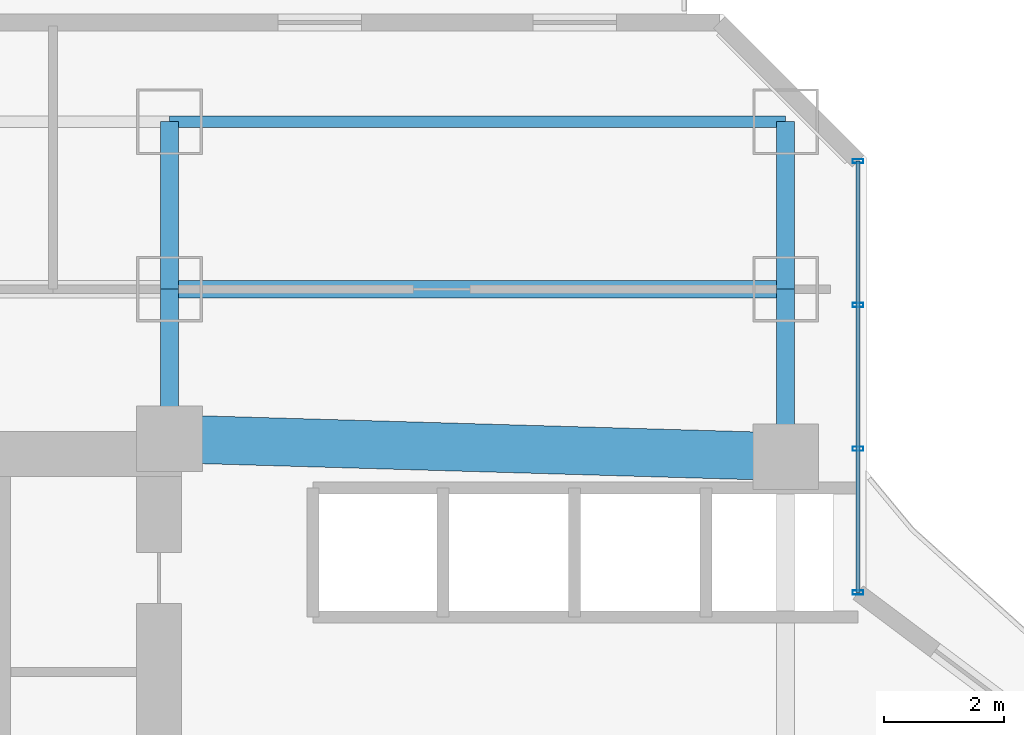
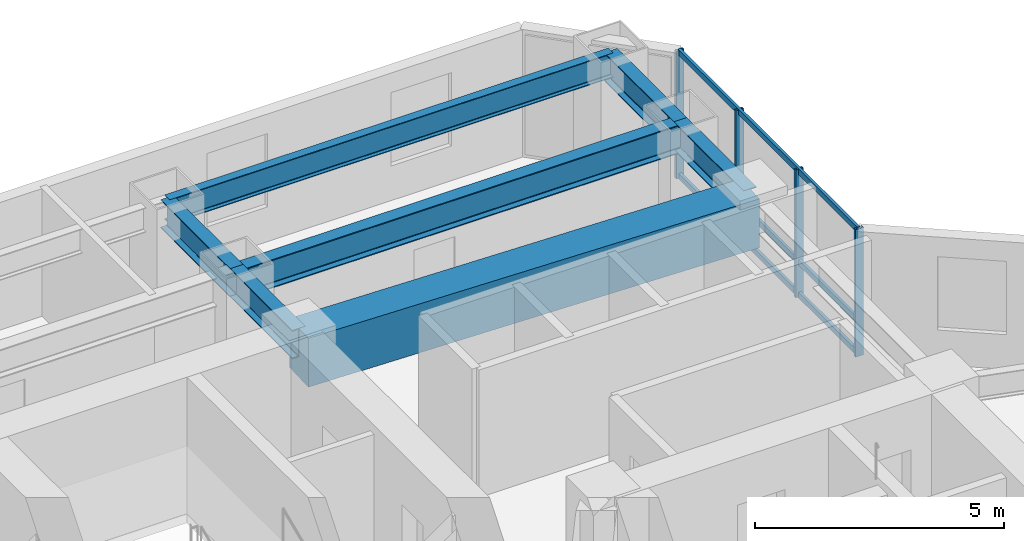
# One storey, part 18 of 32: 7 beams, 7 members, 1 element without a shape of its own.
"""IFC4 building model written with IfcOpenShell, lengths in metres."""

from ifc_helpers import new_model, si_unit, direction, frame, origin, origin_2d, place, context, subcontext, project, spatial, rectangle, hollow_rectangle, i_section, extrude, material, layer, layer_set, material_profile, profile_set, type_object, element, aggregate, save


model = new_model("IFC4")

# Units and contexts
model_context = context("Model", 3, precision=1e-05, world=origin(), true_north=direction((0.0, 1.0)))
body_context = subcontext(model_context, "Body", "Model", "MODEL_VIEW")
ifc_project = project(units=[si_unit("LENGTHUNIT", "METRE"), si_unit("AREAUNIT", "SQUARE_METRE"), si_unit("VOLUMEUNIT", "CUBIC_METRE"), si_unit("PLANEANGLEUNIT", "RADIAN"), si_unit("MASSUNIT", "GRAM", prefix="KILO")], contexts=[model_context])

# Site, building, storey
site_placement = place(None, origin())
site = spatial("IfcSite", under=ifc_project, at=site_placement, CompositionType="ELEMENT")
building_placement = place(site_placement, origin())
building = spatial("IfcBuilding", under=site, at=building_placement, Name="Hatsunagi Terrace Concourse", CompositionType="ELEMENT")
storey_placement = place(building_placement, frame((0.0, 0.0, 36.60009765625)))
storey = spatial("IfcBuildingStorey", under=building, at=storey_placement, Name="L08", CompositionType="ELEMENT", Elevation=36.60009765625)

# Beam
ifc_material_1 = material(Name="Concrete Fc60", Category="concrete")
ifc_material_profile_1 = material_profile(ifc_material_1, rectangle(XDim=0.800048828125, YDim=1.199951171875, at=origin_2d()), Name="RC-800x1200")
ifc_profile_set_1 = profile_set([ifc_material_profile_1], Name="Concrete Fc60")
beam_type_1 = type_object("IfcBeamType", Name="CoreCouplingBeam_RC_800x1200", PredefinedType="BEAM", material=ifc_profile_set_1)
beam_1_placement = place(storey_placement, frame((33.35009765625, 43.300048828125, 2.52978515625), z_axis=(0.999575947545, -0.029119153303, 0.0), x_axis=(0.029119153303, 0.999575947545, 0.0)))
element("IfcBeam", 1, at=beam_1_placement, inside=storey, type_object=beam_type_1, Name="Beam CB-01 CB-L08-2", PredefinedType="BEAM", context=body_context, shape_type="SweptSolid", body=[
    extrude(rectangle(XDim=0.800048828125, YDim=1.199951171875, at=origin_2d()), origin(), (0.0, 0.0, 1.0), 10.30419921875),
])

# Curtain wall, members
ifc_material_2 = material(Name="Anodised Aluminium Alloy 6063-T5", Category="aluminium")
ifc_layer = layer(ifc_material_2, 0.199951171875)
ifc_layer_set = layer_set([ifc_layer], Name="HotelFacade_CW02")
curtain_wall_type = type_object("IfcCurtainWallType", Name="HotelFacade_CW02", PredefinedType="NOTDEFINED", material=ifc_layer_set)
curtain_wall_placement = place(storey_placement, origin())
curtain_wall = element("IfcCurtainWall", 2, at=curtain_wall_placement, inside=storey, type_object=curtain_wall_type, Name="Unitised Curtain Wall CW-02 CW-L08-13", PredefinedType="NOTDEFINED")
ifc_material_3 = material(Name="Anodised Aluminium Alloy 6063-T5", Category="aluminium")
ifc_material_profile_2 = material_profile(ifc_material_3, hollow_rectangle(XDim=0.070068359375, YDim=0.179931640625, WallThickness=0.00390625, at=origin_2d()), Name="ALU-MUL-180x70x4")
ifc_profile_set_2 = profile_set([ifc_material_profile_2], Name="Anodised Aluminium Alloy 6063-T5")
member_type_1 = type_object("IfcMemberType", Name="CurtainWallMullion_180x70", PredefinedType="MULLION", material=ifc_profile_set_2)
member_1_placement = place(storey_placement, frame((44.860107421875, 47.94189453125, 0.0), z_axis=(0.0, 0.0, 1.0), x_axis=(0.0, -1.0, 0.0)))
member_1 = element("IfcMember", 3, at=member_1_placement, type_object=member_type_1, Name="Curtain Wall Mullion MUL-02", PredefinedType="MULLION", context=body_context, shape_type="SweptSolid", body=[
    extrude(hollow_rectangle(XDim=0.070068359375, YDim=0.179931640625, WallThickness=0.00390625, at=origin_2d()), origin(), (0.0, 0.0, 1.0), 3.1298828125),
])
member_2_placement = place(storey_placement, frame((44.860107421875, 45.5380859375, 0.0), z_axis=(0.0, 0.0, 1.0), x_axis=(0.0, -1.0, 0.0)))
member_2 = element("IfcMember", 4, at=member_2_placement, type_object=member_type_1, Name="Curtain Wall Mullion MUL-02", PredefinedType="MULLION", context=body_context, shape_type="SweptSolid", body=[
    extrude(hollow_rectangle(XDim=0.070068359375, YDim=0.179931640625, WallThickness=0.00390625, at=origin_2d()), origin(), (0.0, 0.0, 1.0), 3.1298828125),
])
member_3_placement = place(storey_placement, frame((44.860107421875, 43.134033203125, 0.0), z_axis=(0.0, 0.0, 1.0), x_axis=(0.0, -1.0, 0.0)))
member_3 = element("IfcMember", 5, at=member_3_placement, type_object=member_type_1, Name="Curtain Wall Mullion MUL-02", PredefinedType="MULLION", context=body_context, shape_type="SweptSolid", body=[
    extrude(hollow_rectangle(XDim=0.070068359375, YDim=0.179931640625, WallThickness=0.00390625, at=origin_2d()), origin(), (0.0, 0.0, 1.0), 3.1298828125),
])
member_4_placement = place(storey_placement, frame((44.860107421875, 40.72998046875, 0.0), z_axis=(0.0, 0.0, 1.0), x_axis=(0.0, -1.0, 0.0)))
member_4 = element("IfcMember", 6, at=member_4_placement, type_object=member_type_1, Name="Curtain Wall Mullion MUL-02", PredefinedType="MULLION", context=body_context, shape_type="SweptSolid", body=[
    extrude(hollow_rectangle(XDim=0.070068359375, YDim=0.179931640625, WallThickness=0.00390625, at=origin_2d()), origin(), (0.0, 0.0, 1.0), 3.1298828125),
])
ifc_material_4 = material(Name="Anodised Aluminium Alloy 6063-T5", Category="aluminium")
ifc_material_profile_3 = material_profile(ifc_material_4, hollow_rectangle(XDim=0.06494140625, YDim=0.139892578125, WallThickness=0.00390625, at=origin_2d()), Name="ALU-TRN-140x65x4")
ifc_profile_set_3 = profile_set([ifc_material_profile_3], Name="Anodised Aluminium Alloy 6063-T5")
member_type_2 = type_object("IfcMemberType", Name="CurtainWallTransom_140x65", PredefinedType="USERDEFINED", material=ifc_profile_set_3)
member_5_placement = place(storey_placement, frame((44.860107421875, 47.94189453125, 0.0498046875), z_axis=(0.0, -1.0, 0.0), x_axis=(1.0, 0.0, 0.0)))
member_5 = element("IfcMember", 7, at=member_5_placement, type_object=member_type_2, Name="Curtain Wall Transom TRN-02", ObjectType="TRANSOM", PredefinedType="USERDEFINED", context=body_context, shape_type="SweptSolid", body=[
    extrude(hollow_rectangle(XDim=0.06494140625, YDim=0.139892578125, WallThickness=0.00390625, at=origin_2d()), origin(), (0.0, 0.0, 1.0), 7.2119140625),
])
member_6_placement = place(storey_placement, frame((44.860107421875, 47.94189453125, 0.849853515625), z_axis=(0.0, -1.0, 0.0), x_axis=(1.0, 0.0, 0.0)))
member_6 = element("IfcMember", 8, at=member_6_placement, type_object=member_type_2, Name="Curtain Wall Transom TRN-02", ObjectType="TRANSOM", PredefinedType="USERDEFINED", context=body_context, shape_type="SweptSolid", body=[
    extrude(hollow_rectangle(XDim=0.06494140625, YDim=0.139892578125, WallThickness=0.00390625, at=origin_2d()), origin(), (0.0, 0.0, 1.0), 7.2119140625),
])
member_7_placement = place(storey_placement, frame((44.860107421875, 47.94189453125, 3.079833984375), z_axis=(0.0, -1.0, 0.0), x_axis=(1.0, 0.0, 0.0)))
member_7 = element("IfcMember", 9, at=member_7_placement, type_object=member_type_2, Name="Curtain Wall Transom TRN-02", ObjectType="TRANSOM", PredefinedType="USERDEFINED", context=body_context, shape_type="SweptSolid", body=[
    extrude(hollow_rectangle(XDim=0.06494140625, YDim=0.139892578125, WallThickness=0.00390625, at=origin_2d()), origin(), (0.0, 0.0, 1.0), 7.2119140625),
])
aggregate(curtain_wall, [member_1, member_2, member_3, member_4, member_5, member_6, member_7])

# Beams
ifc_material_5 = material(Name="Steel SN490B", Category="steel")
ifc_material_profile_4 = material_profile(ifc_material_5, i_section(OverallWidth=0.300048828125, OverallDepth=0.699951171875, WebThickness=0.012939453125, FlangeThickness=0.02392578125, FilletRadius=0.02197265625, at=origin_2d()), Name="H-700x300x13x24")
ifc_profile_set_4 = profile_set([ifc_material_profile_4], Name="Steel SN490B")
beam_type_2 = type_object("IfcBeamType", Name="HotelFloorGirder_H_700x300", PredefinedType="BEAM", material=ifc_profile_set_4)
beam_2_placement = place(storey_placement, frame((33.35009765625, 43.300048828125, 2.77978515625), z_axis=(0.0, 1.0, 0.0), x_axis=(-1.0, 0.0, 0.0)))
element("IfcBeam", 10, at=beam_2_placement, inside=storey, type_object=beam_type_2, Name="Beam G-04 BM-L08-CN2", PredefinedType="BEAM", context=body_context, shape_type="SweptSolid", body=[
    extrude(i_section(OverallWidth=0.300048828125, OverallDepth=0.699951171875, WebThickness=0.012939453125, FlangeThickness=0.02392578125, FilletRadius=0.02197265625, at=origin_2d()), origin(), (0.0, 0.0, 1.0), 2.5),
])
beam_3_placement = place(storey_placement, frame((43.64990234375, 43.0, 2.77978515625), z_axis=(0.0, 1.0, 0.0), x_axis=(-1.0, 0.0, 0.0)))
element("IfcBeam", 11, at=beam_3_placement, inside=storey, type_object=beam_type_2, Name="Beam G-04 BM-L08-CN3", PredefinedType="BEAM", context=body_context, shape_type="SweptSolid", body=[
    extrude(i_section(OverallWidth=0.300048828125, OverallDepth=0.699951171875, WebThickness=0.012939453125, FlangeThickness=0.02392578125, FilletRadius=0.02197265625, at=origin_2d()), origin(), (0.0, 0.0, 1.0), 2.800048828125),
])
beam_4_placement = place(storey_placement, frame((33.35009765625, 45.800048828125, 2.77978515625), z_axis=(1.0, 0.0, 0.0), x_axis=(0.0, 1.0, 0.0)))
element("IfcBeam", 12, at=beam_4_placement, inside=storey, type_object=beam_type_2, Name="Beam G-04 BM-L08-CNEW2", PredefinedType="BEAM", context=body_context, shape_type="SweptSolid", body=[
    extrude(i_section(OverallWidth=0.300048828125, OverallDepth=0.699951171875, WebThickness=0.012939453125, FlangeThickness=0.02392578125, FilletRadius=0.02197265625, at=origin_2d()), origin(), (0.0, 0.0, 1.0), 10.2998046875),
])
for number, where, z_axis, x_axis, name in (
    (13, (33.35009765625, 45.800048828125, 2.77978515625), (0.0, 1.0, 0.0), (-1.0, 0.0, 0.0), "Beam G-04 BM-L08-KN-WN5"),
    (14, (43.64990234375, 45.800048828125, 2.77978515625), (0.0, 1.0, 0.0), (-1.0, 0.0, 0.0), "Beam G-04 BM-L08-KN-WN6"),
):
    element("IfcBeam", number, at=place(storey_placement, frame(where, z_axis=z_axis, x_axis=x_axis)), inside=storey, type_object=beam_type_2, Name=name, PredefinedType="BEAM", context=body_context, shape_type="SweptSolid", body=[
        extrude(i_section(OverallWidth=0.300048828125, OverallDepth=0.699951171875, WebThickness=0.012939453125, FlangeThickness=0.02392578125, FilletRadius=0.02197265625, at=origin_2d()), origin(), (0.0, 0.0, 1.0), 2.800048828125),
    ])
ifc_material_6 = material(Name="Steel SN490B", Category="steel")
ifc_material_profile_5 = material_profile(ifc_material_6, i_section(OverallWidth=0.199951171875, OverallDepth=0.60009765625, WebThickness=0.010986328125, FlangeThickness=0.01708984375, FilletRadius=0.01806640625, at=origin_2d()), Name="H-600x200x11x17")
ifc_profile_set_5 = profile_set([ifc_material_profile_5], Name="Steel SN490B")
beam_type_3 = type_object("IfcBeamType", Name="PerimeterSpandrel_H_600x200", PredefinedType="SPANDREL", material=ifc_profile_set_5)
beam_5_placement = place(storey_placement, frame((33.35009765625, 48.60009765625, 2.829833984375), z_axis=(1.0, 0.0, 0.0), x_axis=(0.0, 1.0, 0.0)))
element("IfcBeam", 15, at=beam_5_placement, inside=storey, type_object=beam_type_3, Name="Beam SP-01 BM-L08-WN-33", PredefinedType="SPANDREL", context=body_context, shape_type="SweptSolid", body=[
    extrude(i_section(OverallWidth=0.199951171875, OverallDepth=0.60009765625, WebThickness=0.010986328125, FlangeThickness=0.01708984375, FilletRadius=0.01806640625, at=origin_2d()), origin(), (0.0, 0.0, 1.0), 10.2998046875),
])

save(model, "model.ifc")
